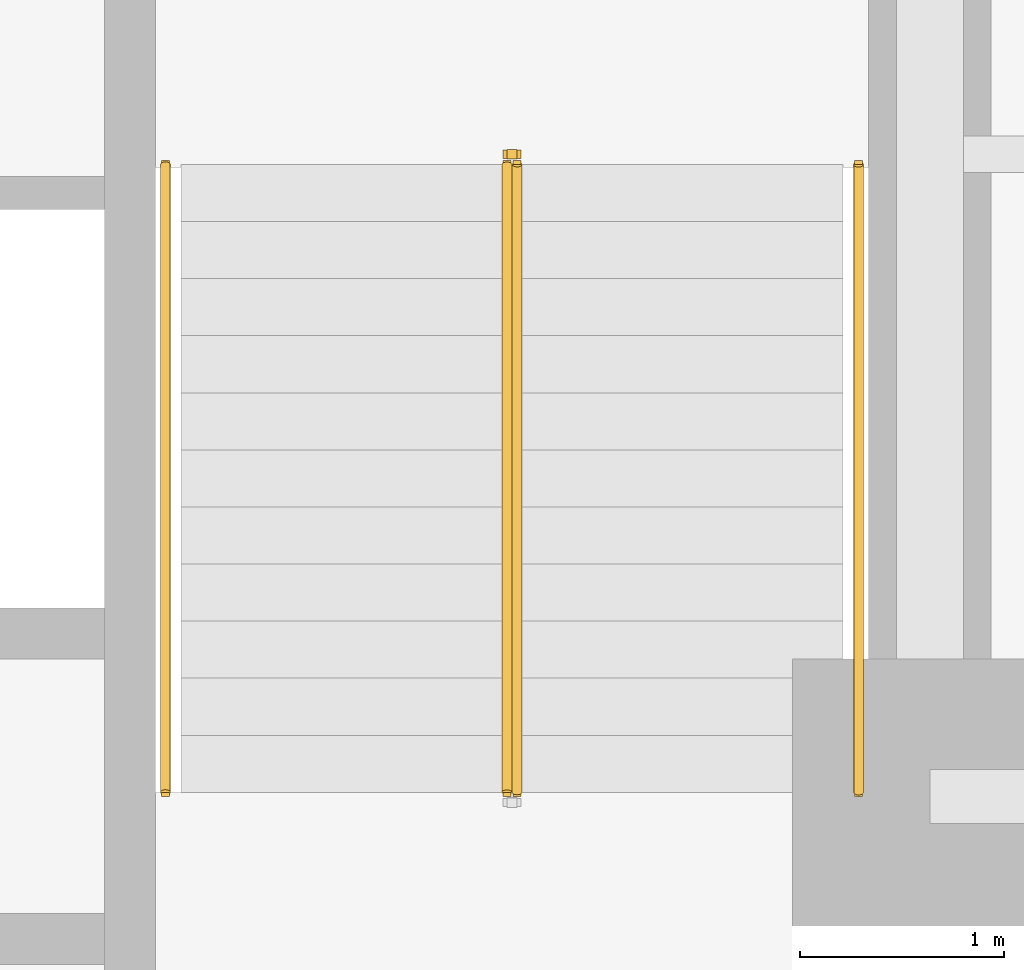
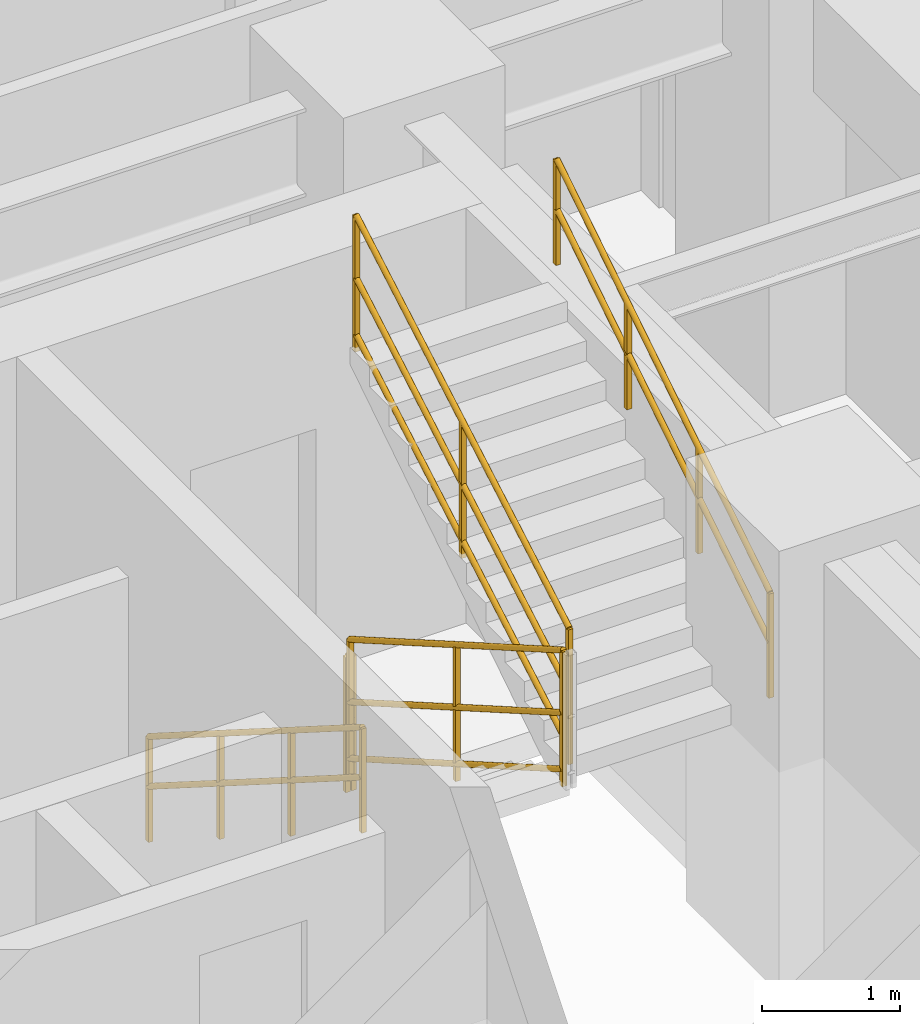
# One storey, part 8 of 9: 5 railings.
"""IFC4 building model written with IfcOpenShell, lengths in metres."""

from ifc_helpers import new_model, entity, si_unit, converted_unit, direction, frame, origin_with_axes, origin_2d_with_axis, place, context, subcontext, project, spatial, rectangle, circle, extrude, material, type_object, element, save


model = new_model("IFC4")

# Units and contexts
model_context = context("Model", 3, precision=1e-05, world=origin_with_axes(), true_north=direction((0.0, 1.0)))
body_context = subcontext(model_context, "Body", "Model", "MODEL_VIEW")
ifc_project = project(units=[si_unit("LENGTHUNIT", "METRE"), si_unit("AREAUNIT", "SQUARE_METRE"), si_unit("VOLUMEUNIT", "CUBIC_METRE"), converted_unit("PLANEANGLEUNIT", "DEGREE", entity("IfcPlaneAngleMeasure", 0.017453292519943295), si_unit("PLANEANGLEUNIT", "RADIAN"), dimensions=[0, 0, 0, 0, 0, 0, 0]), si_unit("MASSUNIT", "GRAM", prefix="KILO"), si_unit("THERMODYNAMICTEMPERATUREUNIT", "KELVIN")], contexts=[model_context])

# Site, building, storey
site_placement = place(None, origin_with_axes())
site = spatial("IfcSite", under=ifc_project, at=site_placement, CompositionType="ELEMENT")
building_placement = place(site_placement, origin_with_axes())
building = spatial("IfcBuilding", under=site, at=building_placement, Name="Varnlund Millrace Tower", CompositionType="ELEMENT")
storey_placement = place(building_placement, frame((0.0, 0.0, 40.5), z_axis=(0.0, 0.0, 1.0), x_axis=(1.0, 0.0, 0.0)))
storey = spatial("IfcBuildingStorey", under=building, at=storey_placement, Name="L09", CompositionType="ELEMENT", Elevation=40.5)

# Railings
ifc_material_1 = material(Name="Painted steel stair well balustrade guard", Category="steel")
railing_type_1 = type_object("IfcRailingType", Name="Type-StairGuard-1150", PredefinedType="GUARDRAIL", material=ifc_material_1)
railing_1_placement = place(storey_placement, frame((0.0, 0.0, -40.5), z_axis=(0.0, 0.0, 1.0), x_axis=(1.0, 0.0, 0.0)))
element("IfcRailing", 1, at=railing_1_placement, inside=storey, type_object=railing_type_1, Name="Type-StairGuard-1150", PredefinedType="GUARDRAIL", context=body_context, shape_type="SweptSolid", body=[
    extrude(circle(Radius=0.024, at=origin_2d_with_axis()), frame((45.975, 21.1, 41.827273), z_axis=(0.0, -0.866696, 0.498836), x_axis=(1.0, 0.0, 0.0)), (0.0, 0.0, 1.0), 3.553725),
    extrude(circle(Radius=0.024, at=origin_2d_with_axis()), frame((45.975, 21.1, 40.777273), z_axis=(0.0, -0.866696, 0.498836), x_axis=(1.0, 0.0, 0.0)), (0.0, 0.0, 1.0), 3.553725),
    extrude(circle(Radius=0.024, at=origin_2d_with_axis()), frame((45.975, 21.1, 41.275273), z_axis=(0.0, -0.866696, 0.498836), x_axis=(1.0, 0.0, 0.0)), (0.0, 0.0, 1.0), 3.553725),
    extrude(rectangle(XDim=0.04, YDim=0.04, at=origin_2d_with_axis()), frame((45.975, 21.1, 40.637273), z_axis=(0.0, 0.0, 1.0), x_axis=(1.0, 0.0, 0.0)), (0.0, 0.0, 1.0), 1.19),
    extrude(rectangle(XDim=0.04, YDim=0.04, at=origin_2d_with_axis()), frame((45.975, 19.56, 41.523637), z_axis=(0.0, 0.0, 1.0), x_axis=(1.0, 0.0, 0.0)), (0.0, 0.0, 1.0), 1.19),
    extrude(rectangle(XDim=0.04, YDim=0.04, at=origin_2d_with_axis()), frame((45.975, 18.02, 42.41), z_axis=(0.0, 0.0, 1.0), x_axis=(1.0, 0.0, 0.0)), (0.0, 0.0, 1.0), 1.19),
])
railing_2_placement = place(storey_placement, frame((0.0, 0.0, -40.5), z_axis=(0.0, 0.0, 1.0), x_axis=(1.0, 0.0, 0.0)))
element("IfcRailing", 2, at=railing_2_placement, inside=storey, type_object=railing_type_1, Name="Type-StairGuard-1150", PredefinedType="GUARDRAIL", context=body_context, shape_type="SweptSolid", body=[
    extrude(circle(Radius=0.024, at=origin_2d_with_axis()), frame((46.025, 18.02, 43.777273), z_axis=(0.0, 0.866696, 0.498836), x_axis=(-1.0, 0.0, 0.0)), (0.0, 0.0, 1.0), 3.553725),
    extrude(circle(Radius=0.024, at=origin_2d_with_axis()), frame((46.025, 18.02, 42.727273), z_axis=(0.0, 0.866696, 0.498836), x_axis=(-1.0, 0.0, 0.0)), (0.0, 0.0, 1.0), 3.553725),
    extrude(circle(Radius=0.024, at=origin_2d_with_axis()), frame((46.025, 18.02, 43.225273), z_axis=(0.0, 0.866696, 0.498836), x_axis=(-1.0, 0.0, 0.0)), (0.0, 0.0, 1.0), 3.553725),
    extrude(rectangle(XDim=0.04, YDim=0.04, at=origin_2d_with_axis()), frame((46.025, 18.02, 42.587273), z_axis=(0.0, 0.0, 1.0), x_axis=(1.0, 0.0, 0.0)), (0.0, 0.0, 1.0), 1.19),
    extrude(rectangle(XDim=0.04, YDim=0.04, at=origin_2d_with_axis()), frame((46.025, 19.56, 43.473637), z_axis=(0.0, 0.0, 1.0), x_axis=(1.0, 0.0, 0.0)), (0.0, 0.0, 1.0), 1.19),
    extrude(rectangle(XDim=0.04, YDim=0.04, at=origin_2d_with_axis()), frame((46.025, 21.1, 44.36), z_axis=(0.0, 0.0, 1.0), x_axis=(1.0, 0.0, 0.0)), (0.0, 0.0, 1.0), 1.19),
])
railing_3_placement = place(storey_placement, frame((0.0, 0.0, -40.5), z_axis=(0.0, 0.0, 1.0), x_axis=(1.0, 0.0, 0.0)))
element("IfcRailing", 3, at=railing_3_placement, inside=storey, type_object=railing_type_1, Name="Type-StairGuard-1150", PredefinedType="GUARDRAIL", context=body_context, shape_type="SweptSolid", body=[
    extrude(circle(Radius=0.024, at=origin_2d_with_axis()), frame((46.025, 21.15, 41.65), z_axis=(-1.0, 0.0, 0.0), x_axis=(0.0, -1.0, 0.0)), (0.0, 0.0, 1.0), 0.05),
    extrude(circle(Radius=0.024, at=origin_2d_with_axis()), frame((46.025, 21.15, 40.6), z_axis=(-1.0, 0.0, 0.0), x_axis=(0.0, -1.0, 0.0)), (0.0, 0.0, 1.0), 0.05),
    extrude(circle(Radius=0.024, at=origin_2d_with_axis()), frame((46.025, 21.15, 41.098), z_axis=(-1.0, 0.0, 0.0), x_axis=(0.0, -1.0, 0.0)), (0.0, 0.0, 1.0), 0.05),
    extrude(rectangle(XDim=0.04, YDim=0.04, at=origin_2d_with_axis()), frame((46.025, 21.15, 40.46), z_axis=(0.0, 0.0, 1.0), x_axis=(1.0, 0.0, 0.0)), (0.0, 0.0, 1.0), 1.19),
    extrude(rectangle(XDim=0.04, YDim=0.04, at=origin_2d_with_axis()), frame((45.975, 21.15, 40.46), z_axis=(0.0, 0.0, 1.0), x_axis=(1.0, 0.0, 0.0)), (0.0, 0.0, 1.0), 1.19),
])
ifc_material_2 = material(Name="Brushed architectural bronze stair handrail", Category="aluminium")
railing_type_2 = type_object("IfcRailingType", Name="Type-StairHandrail-900", PredefinedType="HANDRAIL", material=ifc_material_2)
railing_4_placement = place(storey_placement, frame((0.0, 0.0, -40.5), z_axis=(0.0, 0.0, 1.0), x_axis=(1.0, 0.0, 0.0)))
element("IfcRailing", 4, at=railing_4_placement, inside=storey, type_object=railing_type_2, Name="Type-StairHandrail-900", PredefinedType="HANDRAIL", context=body_context, shape_type="SweptSolid", body=[
    extrude(circle(Radius=0.024, at=origin_2d_with_axis()), frame((44.3, 21.1, 41.556995), z_axis=(0.0, -0.844902, 0.534922), x_axis=(1.0, 0.0, 0.0)), (0.0, 0.0, 1.0), 3.645394),
    extrude(circle(Radius=0.024, at=origin_2d_with_axis()), frame((44.3, 21.1, 41.117134), z_axis=(0.0, -0.844902, 0.534922), x_axis=(1.0, 0.0, 0.0)), (0.0, 0.0, 1.0), 3.645394),
    extrude(rectangle(XDim=0.04, YDim=0.04, at=origin_2d_with_axis()), frame((44.3, 21.1, 40.637273), z_axis=(0.0, 0.0, 1.0), x_axis=(1.0, 0.0, 0.0)), (0.0, 0.0, 1.0), 0.919722),
    extrude(rectangle(XDim=0.04, YDim=0.04, at=origin_2d_with_axis()), frame((44.3, 20.073333, 41.287273), z_axis=(0.0, 0.0, 1.0), x_axis=(1.0, 0.0, 0.0)), (0.0, 0.0, 1.0), 0.919722),
    extrude(rectangle(XDim=0.04, YDim=0.04, at=origin_2d_with_axis()), frame((44.3, 19.046667, 41.937273), z_axis=(0.0, 0.0, 1.0), x_axis=(1.0, 0.0, 0.0)), (0.0, 0.0, 1.0), 0.919722),
    extrude(rectangle(XDim=0.04, YDim=0.04, at=origin_2d_with_axis()), frame((44.3, 18.02, 42.587273), z_axis=(0.0, 0.0, 1.0), x_axis=(1.0, 0.0, 0.0)), (0.0, 0.0, 1.0), 0.919722),
])
railing_5_placement = place(storey_placement, frame((0.0, 0.0, -40.5), z_axis=(0.0, 0.0, 1.0), x_axis=(1.0, 0.0, 0.0)))
element("IfcRailing", 5, at=railing_5_placement, inside=storey, type_object=railing_type_2, Name="Type-StairHandrail-900", PredefinedType="HANDRAIL", context=body_context, shape_type="SweptSolid", body=[
    extrude(circle(Radius=0.024, at=origin_2d_with_axis()), frame((47.7, 18.02, 43.506995), z_axis=(0.0, 0.844902, 0.534922), x_axis=(-1.0, 0.0, 0.0)), (0.0, 0.0, 1.0), 3.645394),
    extrude(circle(Radius=0.024, at=origin_2d_with_axis()), frame((47.7, 18.02, 43.067134), z_axis=(0.0, 0.844902, 0.534922), x_axis=(-1.0, 0.0, 0.0)), (0.0, 0.0, 1.0), 3.645394),
    extrude(rectangle(XDim=0.04, YDim=0.04, at=origin_2d_with_axis()), frame((47.7, 18.02, 42.587273), z_axis=(0.0, 0.0, 1.0), x_axis=(1.0, 0.0, 0.0)), (0.0, 0.0, 1.0), 0.919722),
    extrude(rectangle(XDim=0.04, YDim=0.04, at=origin_2d_with_axis()), frame((47.7, 19.046667, 43.237273), z_axis=(0.0, 0.0, 1.0), x_axis=(1.0, 0.0, 0.0)), (0.0, 0.0, 1.0), 0.919722),
    extrude(rectangle(XDim=0.04, YDim=0.04, at=origin_2d_with_axis()), frame((47.7, 20.073333, 43.887273), z_axis=(0.0, 0.0, 1.0), x_axis=(1.0, 0.0, 0.0)), (0.0, 0.0, 1.0), 0.919722),
    extrude(rectangle(XDim=0.04, YDim=0.04, at=origin_2d_with_axis()), frame((47.7, 21.1, 44.537273), z_axis=(0.0, 0.0, 1.0), x_axis=(1.0, 0.0, 0.0)), (0.0, 0.0, 1.0), 0.919722),
])

save(model, "model.ifc")
